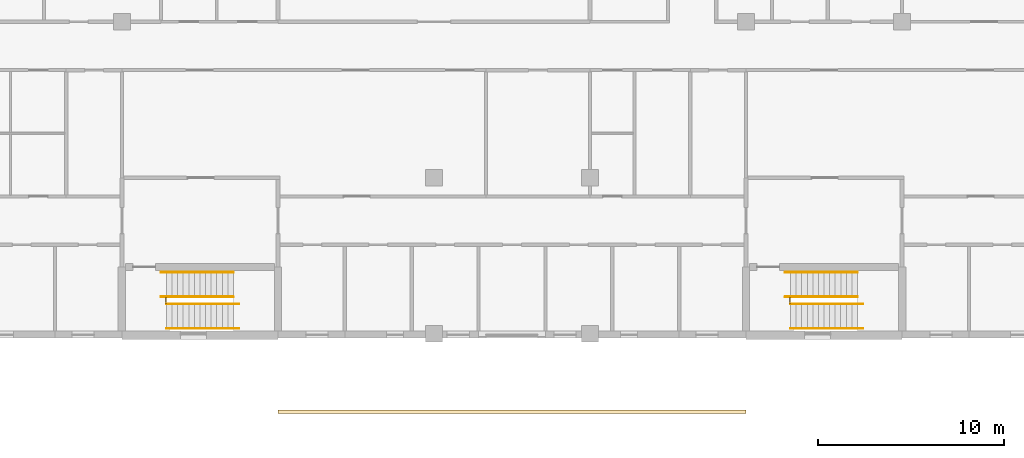
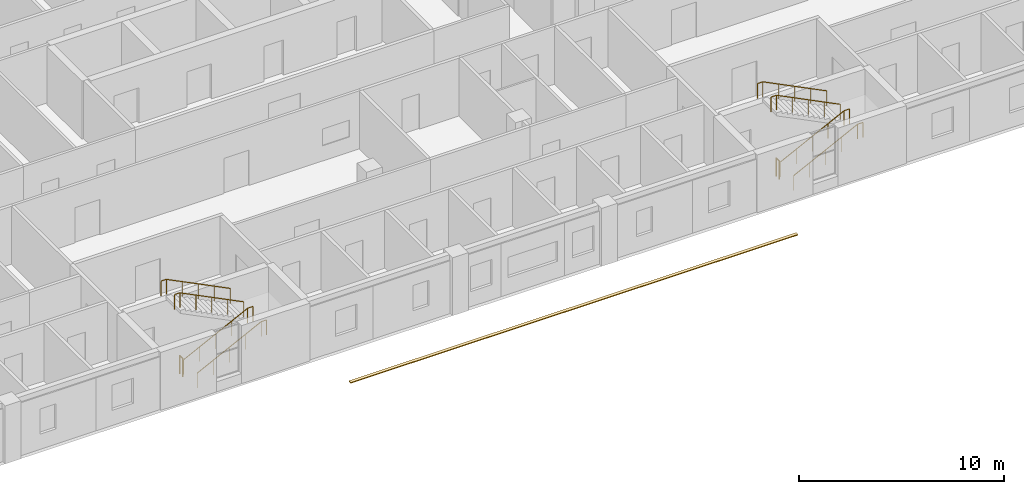
# One storey, part 86 of 94: 10 railings, 1 covering.
"""IFC4 building model written with IfcOpenShell, lengths in metres."""

from ifc_helpers import new_model, si_unit, direction, frame, origin, origin_2d, place, context, subcontext, project, spatial, rectangle, circle, extrude, material, layer, layer_set, type_object, element, save


model = new_model("IFC4")

# Units and contexts
model_context = context("Model", 3, precision=1e-05, world=origin(), true_north=direction((0.0, 1.0)))
body_context = subcontext(model_context, "Body", "Model", "MODEL_VIEW")
ifc_project = project(units=[si_unit("LENGTHUNIT", "METRE"), si_unit("AREAUNIT", "SQUARE_METRE"), si_unit("VOLUMEUNIT", "CUBIC_METRE"), si_unit("PLANEANGLEUNIT", "RADIAN"), si_unit("MASSUNIT", "GRAM", prefix="KILO")], contexts=[model_context])

# Site, building, storey
site_placement = place(None, origin())
site = spatial("IfcSite", under=ifc_project, at=site_placement, CompositionType="ELEMENT")
building_placement = place(site_placement, origin())
building = spatial("IfcBuilding", under=site, at=building_placement, Name="Yavir Park General Hospital", CompositionType="ELEMENT")
storey_placement = place(building_placement, frame((0.0, 0.0, 4.5)))
storey = spatial("IfcBuildingStorey", under=building, at=storey_placement, Name="L01", CompositionType="ELEMENT", Elevation=4.5)

# Covering
ifc_material_1 = material(Name="Aluminium ridge capping with gasket", Category="aluminium")
ifc_layer = layer(ifc_material_1, 0.050048828125)
ifc_layer_set = layer_set([ifc_layer], Name="Aluminium ridge capping with gasket")
covering_type = type_object("IfcCoveringType", Name="Glazed roof ridge capping 50", PredefinedType="ROOFING", material=ifc_layer_set)
covering_placement = place(storey_placement, frame((88.199951171875, -4.199951171875, 1.0859375), z_axis=(0.0, 0.0, 1.0), x_axis=(1.0, 0.0, 0.0)))
element("IfcCovering", 1, at=covering_placement, inside=storey, type_object=covering_type, Name="Entrance porch roof ridge capping", PredefinedType="ROOFING", context=body_context, shape_type="SweptSolid", body=[
    extrude(rectangle(XDim=25.199951171875, YDim=0.184814453125, at=origin_2d()), origin(), (0.0, 0.0, 1.0), 0.050048828125),
])

# Railings
ifc_material_2 = material(Name="Steel balustrade with infill rods", Category="steel")
railing_type_1 = type_object("IfcRailingType", Name="Stair guard, steel balustrade 1100 mm", PredefinedType="GUARDRAIL", material=ifc_material_2)
for number, where, name in (
    (2, (69.570068359375, 1.64990234375, 0.0), "Stair well guard SU3 L01"),
    (3, (103.169921875, 1.64990234375, 0.0), "Stair well guard SU4 L01"),
):
    element("IfcRailing", number, at=place(storey_placement, frame(where)), inside=storey, type_object=railing_type_1, Name=name, PredefinedType="GUARDRAIL", context=body_context, shape_type="SweptSolid", body=[
        extrude(circle(Radius=0.02392578125, at=origin_2d()), frame((0.0, 0.0, 1.076171875), z_axis=(0.0, 1.0, 0.0), x_axis=(-1.0, 0.0, 0.0)), (0.0, 0.0, 1.0), 0.300048828125),
        extrude(circle(Radius=0.02099609375, at=origin_2d()), origin(), (0.0, 0.0, 1.0), 1.052001953125),
        extrude(circle(Radius=0.02099609375, at=origin_2d()), frame((0.0, 0.300048828125, 0.0)), (0.0, 0.0, 1.0), 1.052001953125),
    ])
ifc_material_3 = material(Name="Stainless steel tube 48 mm", Category="steel")
railing_type_2 = type_object("IfcRailingType", Name="Stair handrail, steel tube, 900 mm above the nosings", PredefinedType="HANDRAIL", material=ifc_material_3)
for number, where, name in (
    (4, (69.60009765625, 0.2900390625, 0.14990234375), "Handrail SU3 L01 1"),
    (5, (69.60009765625, 1.610107421875, 0.14990234375), "Handrail SU3 L01 2"),
):
    element("IfcRailing", number, at=place(storey_placement, frame(where)), inside=storey, type_object=railing_type_2, Name=name, PredefinedType="HANDRAIL", context=body_context, shape_type="SweptSolid", body=[
        extrude(circle(Radius=0.02392578125, at=origin_2d()), frame((0.0, 0.0, 0.8759765625), z_axis=(0.894415058897, 0.0, 0.447237858884), x_axis=(0.0, 1.0, 0.0)), (0.0, 0.0, 1.0), 4.02490234375),
        extrude(circle(Radius=0.02392578125, at=origin_2d()), frame((3.599853515625, 0.0, 2.67578125), z_axis=(1.0, 0.0, 0.0), x_axis=(0.0, 1.0, 0.0)), (0.0, 0.0, 1.0), 0.300048828125),
        extrude(circle(Radius=0.02099609375, at=origin_2d()), origin(), (0.0, 0.0, 1.0), 0.851806640625),
        extrude(circle(Radius=0.02099609375, at=origin_2d()), frame((0.89990234375, 0.0, 0.449951171875)), (0.0, 0.0, 1.0), 0.851806640625),
        extrude(circle(Radius=0.02099609375, at=origin_2d()), frame((1.7998046875, 0.0, 0.89990234375)), (0.0, 0.0, 1.0), 0.851806640625),
        extrude(circle(Radius=0.02099609375, at=origin_2d()), frame((2.699951171875, 0.0, 1.35009765625)), (0.0, 0.0, 1.0), 0.851806640625),
        extrude(circle(Radius=0.02099609375, at=origin_2d()), frame((3.599853515625, 0.0, 1.800048828125)), (0.0, 0.0, 1.0), 0.851806640625),
        extrude(circle(Radius=0.02099609375, at=origin_2d()), frame((3.89990234375, 0.0, 1.800048828125)), (0.0, 0.0, 1.0), 0.851806640625),
    ])
for number, where, name in (
    (6, (73.199951171875, 3.31005859375, 2.10009765625), "Handrail SU3 L01 3"),
    (7, (73.199951171875, 1.989990234375, 2.10009765625), "Handrail SU3 L01 4"),
):
    element("IfcRailing", number, at=place(storey_placement, frame(where)), inside=storey, type_object=railing_type_2, Name=name, PredefinedType="HANDRAIL", context=body_context, shape_type="SweptSolid", body=[
        extrude(circle(Radius=0.02392578125, at=origin_2d()), frame((0.0, 0.0, 0.8759765625), z_axis=(-0.894439322774, 0.0, 0.447189331129), x_axis=(0.0, -1.0, 0.0)), (0.0, 0.0, 1.0), 4.024658203125),
        extrude(circle(Radius=0.02392578125, at=origin_2d()), frame((-3.599853515625, 0.0, 2.67578125), z_axis=(-1.0, 0.0, 0.0), x_axis=(0.0, -1.0, 0.0)), (0.0, 0.0, 1.0), 0.300048828125),
        extrude(circle(Radius=0.02099609375, at=origin_2d()), origin(), (0.0, 0.0, 1.0), 0.851806640625),
        extrude(circle(Radius=0.02099609375, at=origin_2d()), frame((-0.89990234375, 0.0, 0.449951171875)), (0.0, 0.0, 1.0), 0.851806640625),
        extrude(circle(Radius=0.02099609375, at=origin_2d()), frame((-1.7998046875, 0.0, 0.89990234375)), (0.0, 0.0, 1.0), 0.851806640625),
        extrude(circle(Radius=0.02099609375, at=origin_2d()), frame((-2.699951171875, 0.0, 1.349853515625)), (0.0, 0.0, 1.0), 0.851806640625),
        extrude(circle(Radius=0.02099609375, at=origin_2d()), frame((-3.599853515625, 0.0, 1.7998046875)), (0.0, 0.0, 1.0), 0.851806640625),
        extrude(circle(Radius=0.02099609375, at=origin_2d()), frame((-3.89990234375, 0.0, 1.7998046875)), (0.0, 0.0, 1.0), 0.851806640625),
    ])
for number, where, name in (
    (8, (103.199951171875, 0.2900390625, 0.14990234375), "Handrail SU4 L01 1"),
    (9, (103.199951171875, 1.610107421875, 0.14990234375), "Handrail SU4 L01 2"),
):
    element("IfcRailing", number, at=place(storey_placement, frame(where)), inside=storey, type_object=railing_type_2, Name=name, PredefinedType="HANDRAIL", context=body_context, shape_type="SweptSolid", body=[
        extrude(circle(Radius=0.02392578125, at=origin_2d()), frame((0.0, 0.0, 0.8759765625), z_axis=(0.894427191, 0.0, 0.4472135955), x_axis=(0.0, 1.0, 0.0)), (0.0, 0.0, 1.0), 4.025146484375),
        extrude(circle(Radius=0.02392578125, at=origin_2d()), frame((3.60009765625, 0.0, 2.67578125), z_axis=(1.0, 0.0, 0.0), x_axis=(0.0, 1.0, 0.0)), (0.0, 0.0, 1.0), 0.300048828125),
        extrude(circle(Radius=0.02099609375, at=origin_2d()), origin(), (0.0, 0.0, 1.0), 0.851806640625),
        extrude(circle(Radius=0.02099609375, at=origin_2d()), frame((0.89990234375, 0.0, 0.449951171875)), (0.0, 0.0, 1.0), 0.851806640625),
        extrude(circle(Radius=0.02099609375, at=origin_2d()), frame((1.800048828125, 0.0, 0.89990234375)), (0.0, 0.0, 1.0), 0.851806640625),
        extrude(circle(Radius=0.02099609375, at=origin_2d()), frame((2.7001953125, 0.0, 1.35009765625)), (0.0, 0.0, 1.0), 0.851806640625),
        extrude(circle(Radius=0.02099609375, at=origin_2d()), frame((3.60009765625, 0.0, 1.800048828125)), (0.0, 0.0, 1.0), 0.851806640625),
        extrude(circle(Radius=0.02099609375, at=origin_2d()), frame((3.900146484375, 0.0, 1.800048828125)), (0.0, 0.0, 1.0), 0.851806640625),
    ])
for number, where, name in (
    (10, (106.800048828125, 3.31005859375, 2.10009765625), "Handrail SU4 L01 3"),
    (11, (106.800048828125, 1.989990234375, 2.10009765625), "Handrail SU4 L01 4"),
):
    element("IfcRailing", number, at=place(storey_placement, frame(where)), inside=storey, type_object=railing_type_2, Name=name, PredefinedType="HANDRAIL", context=body_context, shape_type="SweptSolid", body=[
        extrude(circle(Radius=0.02392578125, at=origin_2d()), frame((0.0, 0.0, 0.8759765625), z_axis=(-0.894451452574, 0.0, 0.447165069061), x_axis=(0.0, -1.0, 0.0)), (0.0, 0.0, 1.0), 4.02490234375),
        extrude(circle(Radius=0.02392578125, at=origin_2d()), frame((-3.60009765625, 0.0, 2.67578125), z_axis=(-1.0, 0.0, 0.0), x_axis=(0.0, -1.0, 0.0)), (0.0, 0.0, 1.0), 0.300048828125),
        extrude(circle(Radius=0.02099609375, at=origin_2d()), origin(), (0.0, 0.0, 1.0), 0.851806640625),
        extrude(circle(Radius=0.02099609375, at=origin_2d()), frame((-0.89990234375, 0.0, 0.449951171875)), (0.0, 0.0, 1.0), 0.851806640625),
        extrude(circle(Radius=0.02099609375, at=origin_2d()), frame((-1.800048828125, 0.0, 0.89990234375)), (0.0, 0.0, 1.0), 0.851806640625),
        extrude(circle(Radius=0.02099609375, at=origin_2d()), frame((-2.7001953125, 0.0, 1.349853515625)), (0.0, 0.0, 1.0), 0.851806640625),
        extrude(circle(Radius=0.02099609375, at=origin_2d()), frame((-3.60009765625, 0.0, 1.7998046875)), (0.0, 0.0, 1.0), 0.851806640625),
        extrude(circle(Radius=0.02099609375, at=origin_2d()), frame((-3.900146484375, 0.0, 1.7998046875)), (0.0, 0.0, 1.0), 0.851806640625),
    ])

save(model, "model.ifc")
